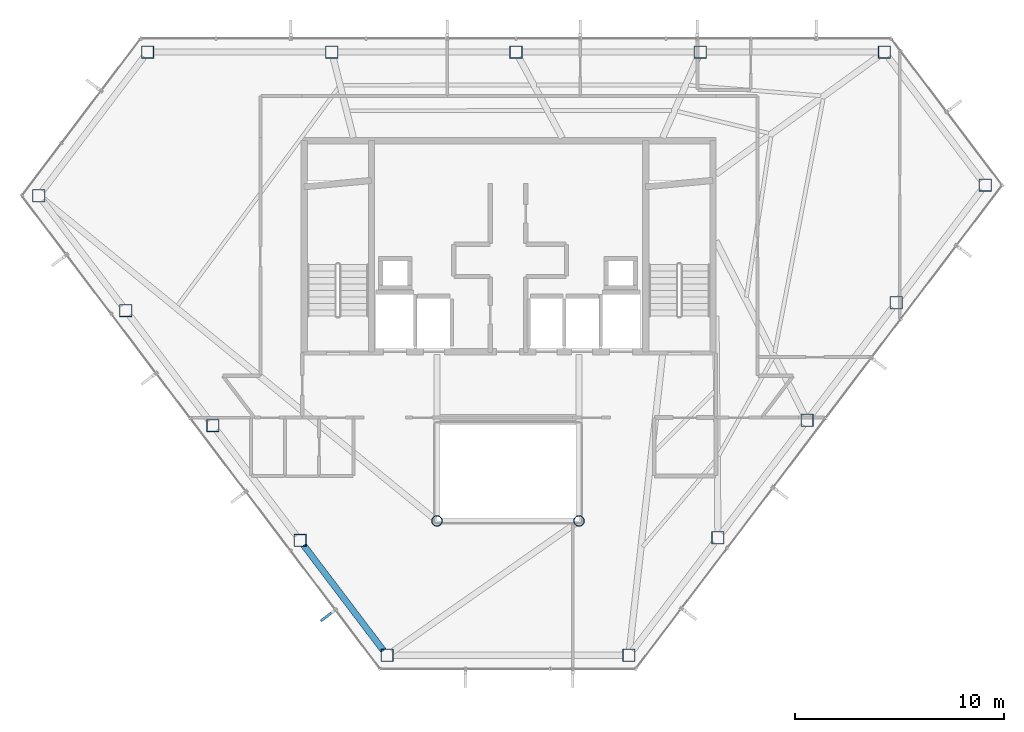
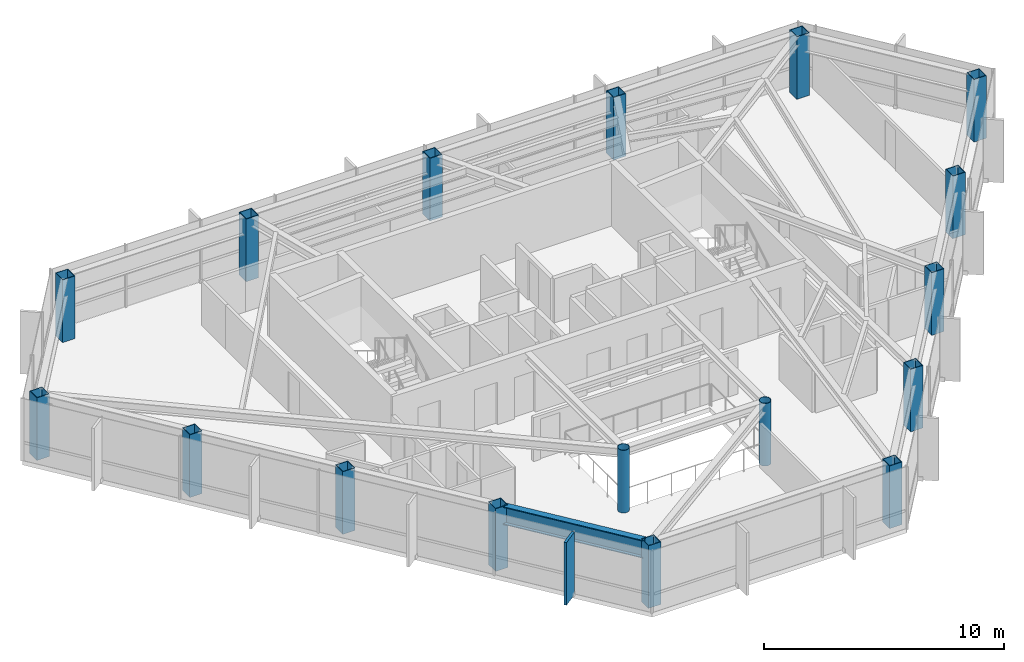
# One storey, part 1 of 28: 17 columns, 1 beam, 1 member, 1 element without a shape of its own.
"""IFC4 building model written with IfcOpenShell, lengths in metres."""

from ifc_helpers import new_model, si_unit, direction, frame, origin, origin_2d, place, context, subcontext, project, spatial, rectangle, hollow_rectangle, hollow_circle, i_section, extrude, material, layer, layer_set, material_profile, profile_set, type_object, element, aggregate, save


model = new_model("IFC4")

# Units and contexts
model_context = context("Model", 3, precision=1e-05, world=origin(), true_north=direction((0.0, 1.0)))
body_context = subcontext(model_context, "Body", "Model", "MODEL_VIEW")
ifc_project = project(units=[si_unit("LENGTHUNIT", "METRE"), si_unit("AREAUNIT", "SQUARE_METRE"), si_unit("VOLUMEUNIT", "CUBIC_METRE"), si_unit("PLANEANGLEUNIT", "RADIAN"), si_unit("MASSUNIT", "GRAM", prefix="KILO")], contexts=[model_context])

# Site, building, storey
site_placement = place(None, origin())
site = spatial("IfcSite", under=ifc_project, at=site_placement, CompositionType="ELEMENT")
building_placement = place(site_placement, origin())
building = spatial("IfcBuilding", under=site, at=building_placement, Name="Zarrinselat Tower", CompositionType="ELEMENT")
storey_placement = place(building_placement, frame((0.0, 0.0, 222.360107421875)))
storey = spatial("IfcBuildingStorey", under=building, at=storey_placement, Name="L55", CompositionType="ELEMENT", Elevation=222.360107421875)

# Columns
ifc_material_1 = material(Name="Steel S355J2", Category="steel")
ifc_material_profile_1 = material_profile(ifc_material_1, hollow_circle(Radius=0.25390625, WallThickness=0.02001953125, at=origin_2d()), Name="CHS 508x20")
ifc_profile_set_1 = profile_set([ifc_material_profile_1], Name="Steel S355J2")
column_type_1 = type_object("IfcColumnType", Name="COL-CHS508", PredefinedType="COLUMN", material=ifc_profile_set_1)
for number, where, z_axis, x_axis, name in (
    (1, (35.0, 25.199951171875, 0.0), (0.0, 0.0, 1.0), (1.0, 0.0, 0.0), "L55 Atrium Corner Column 1"),
    (2, (41.800048828125, 25.199951171875, 0.0), (0.0, 0.0, 1.0), (1.0, 0.0, 0.0), "L55 Atrium Corner Column 2"),
):
    element("IfcColumn", number, at=place(storey_placement, frame(where, z_axis=z_axis, x_axis=x_axis)), inside=storey, type_object=column_type_1, Name=name, PredefinedType="COLUMN", context=body_context, shape_type="SweptSolid", body=[
        extrude(hollow_circle(Radius=0.25390625, WallThickness=0.02001953125, at=origin_2d()), origin(), (0.0, 0.0, 1.0), 3.179931640625),
    ])
ifc_material_2 = material(Name="Steel S355J2", Category="steel")
ifc_material_profile_2 = material_profile(ifc_material_2, hollow_rectangle(XDim=0.60009765625, YDim=0.60009765625, WallThickness=0.030029296875, at=origin_2d()), Name="SHS 600x600x30")
ifc_profile_set_2 = profile_set([ifc_material_profile_2], Name="Steel S355J2")
column_type_2 = type_object("IfcColumnType", Name="COL-SHS600", PredefinedType="COLUMN", material=ifc_profile_set_2)
for number, where, z_axis, x_axis, name in (
    (3, (56.41650390625, 47.644287109375, 0.0), (0.0, 0.0, 1.0), (1.0, 0.0, 0.0), "L55 Framed-Tube Column T01"),
    (4, (47.599365234375, 47.644287109375, 0.0), (0.0, 0.0, 1.0), (1.0, 0.0, 0.0), "L55 Framed-Tube Column T02"),
    (5, (38.782470703125, 47.644287109375, 0.0), (0.0, 0.0, 1.0), (1.0, 0.0, 0.0), "L55 Framed-Tube Column T03"),
    (6, (29.965576171875, 47.644287109375, 0.0), (0.0, 0.0, 1.0), (1.0, 0.0, 0.0), "L55 Framed-Tube Column T04"),
    (7, (21.1484375, 47.644287109375, 0.0), (0.0, 0.0, 1.0), (1.0, 0.0, 0.0), "L55 Framed-Tube Column T05"),
    (8, (15.942138671875, 40.77197265625, 0.0), (0.0, 0.0, 1.0), (1.0, 0.0, 0.0), "L55 Framed-Tube Column T06"),
    (9, (20.10986328125, 35.270751953125, 0.0), (0.0, 0.0, 1.0), (1.0, 0.0, 0.0), "L55 Framed-Tube Column T07"),
    (10, (24.277587890625, 29.769287109375, 0.0), (0.0, 0.0, 1.0), (1.0, 0.0, 0.0), "L55 Framed-Tube Column T08"),
    (11, (28.445068359375, 24.26806640625, 0.0), (0.0, 0.0, 1.0), (1.0, 0.0, 0.0), "L55 Framed-Tube Column T09"),
    (12, (32.61279296875, 18.7666015625, 0.0), (0.0, 0.0, 1.0), (1.0, 0.0, 0.0), "L55 Framed-Tube Column T10"),
    (13, (44.187255859375, 18.7666015625, 0.0), (0.0, 0.0, 1.0), (1.0, 0.0, 0.0), "L55 Framed-Tube Column T11"),
    (14, (48.450439453125, 24.394287109375, 0.0), (0.0, 0.0, 1.0), (1.0, 0.0, 0.0), "L55 Framed-Tube Column T12"),
    (15, (52.713623046875, 30.021728515625, 0.0), (0.0, 0.0, 1.0), (1.0, 0.0, 0.0), "L55 Framed-Tube Column T13"),
    (16, (56.97705078125, 35.6494140625, 0.0), (0.0, 0.0, 1.0), (1.0, 0.0, 0.0), "L55 Framed-Tube Column T14"),
    (17, (61.240234375, 41.27685546875, 0.0), (0.0, 0.0, 1.0), (1.0, 0.0, 0.0), "L55 Framed-Tube Column T15"),
):
    element("IfcColumn", number, at=place(storey_placement, frame(where, z_axis=z_axis, x_axis=x_axis)), inside=storey, type_object=column_type_2, Name=name, PredefinedType="COLUMN", context=body_context, shape_type="SweptSolid", body=[
        extrude(hollow_rectangle(XDim=0.60009765625, YDim=0.60009765625, WallThickness=0.030029296875, at=origin_2d()), origin(), (0.0, 0.0, 1.0), 3.179931640625),
    ])

# Beam
ifc_material_3 = material(Name="Steel S460M", Category="steel")
ifc_material_profile_3 = material_profile(ifc_material_3, i_section(OverallWidth=0.302001953125, OverallDepth=0.909912109375, WebThickness=0.02099609375, FlangeThickness=0.0400390625, at=origin_2d()), Name="HEM 900")
ifc_profile_set_3 = profile_set([ifc_material_profile_3], Name="Steel S460M")
beam_type = type_object("IfcBeamType", Name="BM-HEM900", PredefinedType="BEAM", material=ifc_profile_set_3)
beam_placement = place(storey_placement, frame((28.618896484375, 24.038330078125, 2.724853515625), z_axis=(0.603895584246, -0.797063437455, 0.0), x_axis=(0.797063437455, 0.603895584246, 0.0)))
element("IfcBeam", 18, at=beam_placement, inside=storey, type_object=beam_type, Name="L55 Perimeter Spandrel Girder SP09", PredefinedType="BEAM", context=body_context, shape_type="SweptSolid", body=[
    extrude(i_section(OverallWidth=0.302001953125, OverallDepth=0.909912109375, WebThickness=0.02099609375, FlangeThickness=0.0400390625, at=origin_2d()), origin(), (0.0, 0.0, 1.0), 6.32568359375),
])

# Curtain wall, member
ifc_material_4 = material(Name="Extruded Aluminium Alloy EN AW-6063 T6", Category="aluminium")
ifc_layer = layer(ifc_material_4, 0.169921875)
ifc_layer_set = layer_set([ifc_layer], Name="Extruded Aluminium Alloy EN AW-6063 T6")
curtain_wall_type = type_object("IfcCurtainWallType", Name="CWS-RES", PredefinedType="NOTDEFINED", material=ifc_layer_set)
curtain_wall_placement = place(storey_placement, origin())
curtain_wall = element("IfcCurtainWall", 19, at=curtain_wall_placement, inside=storey, type_object=curtain_wall_type, Name="L55 Unitised Curtain Wall CW-L55-E03", PredefinedType="NOTDEFINED")
ifc_material_5 = material(Name="Honed Cream Travertine Stone", Category="masonry")
ifc_material_profile_4 = material_profile(ifc_material_5, rectangle(XDim=0.1201171875, YDim=0.85009765625, at=origin_2d()), Name="FIN 850x120")
ifc_profile_set_4 = profile_set([ifc_material_profile_4], Name="Honed Cream Travertine Stone")
member_type = type_object("IfcMemberType", Name="MEM-STONE-FIN", PredefinedType="USERDEFINED", material=ifc_profile_set_4)
member_placement = place(storey_placement, frame((29.777587890625, 20.6708984375, 0.0), z_axis=(0.0, 0.0, 1.0), x_axis=(-0.603859787908, 0.797090557307, 0.0)))
member = element("IfcMember", 20, at=member_placement, type_object=member_type, Name="L55 Stone Shading Fin CW-L55-E03-07", ObjectType="FIN", PredefinedType="USERDEFINED", context=body_context, shape_type="SweptSolid", body=[
    extrude(rectangle(XDim=0.1201171875, YDim=0.85009765625, at=origin_2d()), origin(), (0.0, 0.0, 1.0), 3.179931640625),
])
aggregate(curtain_wall, [member])

save(model, "model.ifc")
